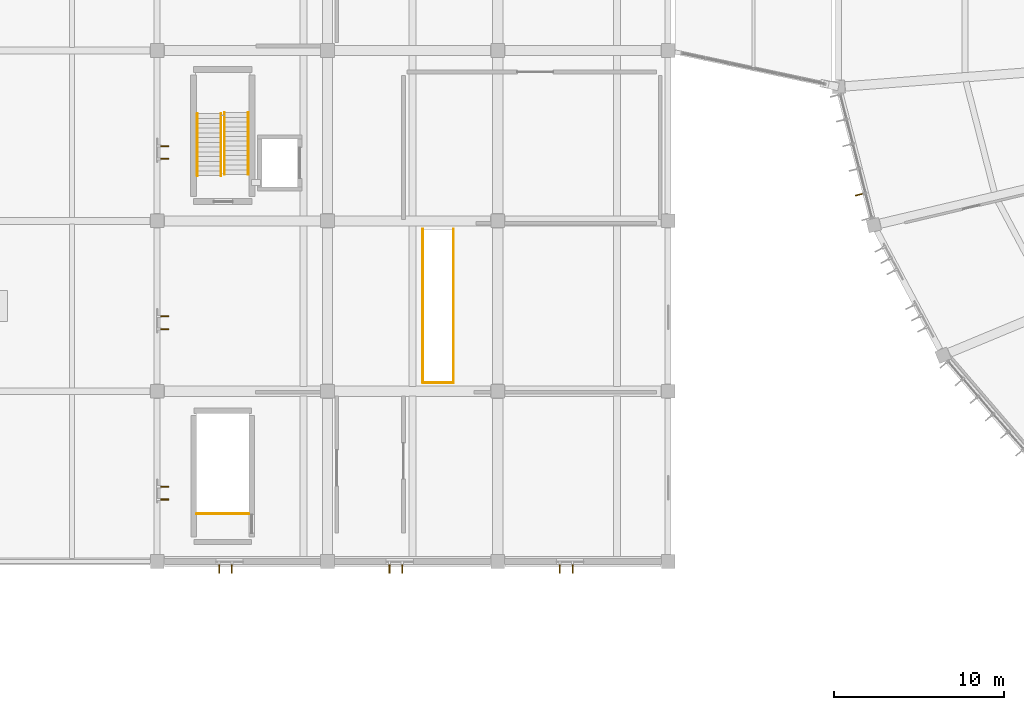
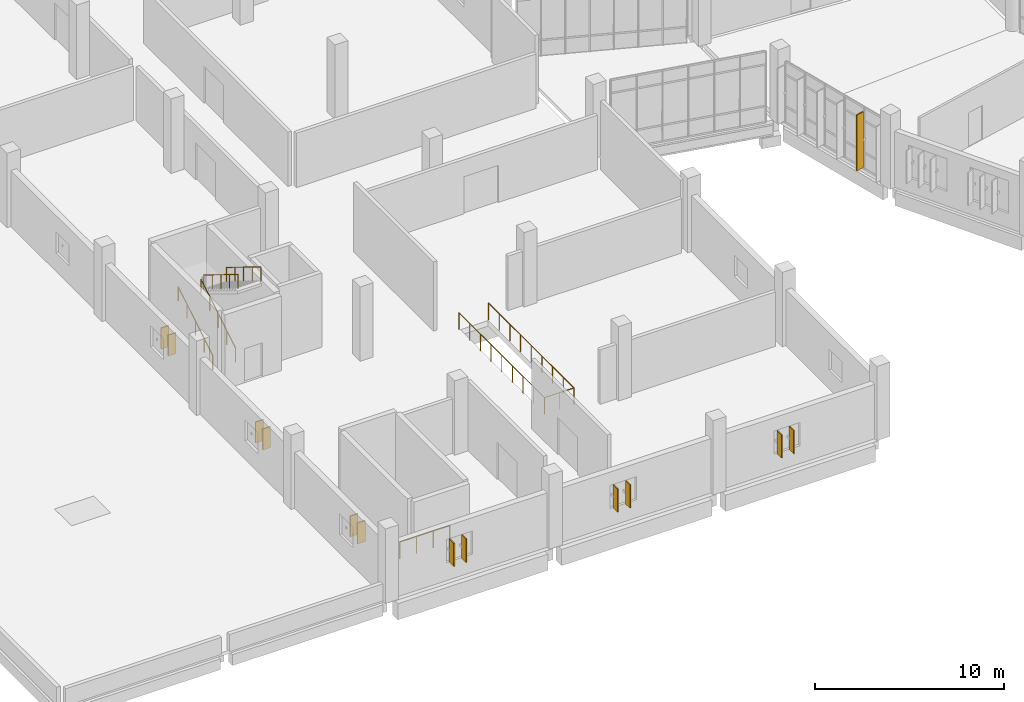
# One storey, part 150 of 179: 13 shading devices, 8 railings.
"""IFC4 building model written with IfcOpenShell, lengths in metres."""

from ifc_helpers import new_model, si_unit, direction, frame, origin, origin_2d, place, context, subcontext, project, spatial, rectangle, circle, extrude, material, layer, layer_set, type_object, element, save


model = new_model("IFC4")

# Units and contexts
model_context = context("Model", 3, precision=1e-05, world=origin(), true_north=direction((0.0, 1.0)))
body_context = subcontext(model_context, "Body", "Model", "MODEL_VIEW")
ifc_project = project(units=[si_unit("LENGTHUNIT", "METRE"), si_unit("AREAUNIT", "SQUARE_METRE"), si_unit("VOLUMEUNIT", "CUBIC_METRE"), si_unit("PLANEANGLEUNIT", "RADIAN"), si_unit("MASSUNIT", "GRAM", prefix="KILO")], contexts=[model_context])

# Site, building, storey
site_placement = place(None, origin())
site = spatial("IfcSite", under=ifc_project, at=site_placement, CompositionType="ELEMENT")
building_placement = place(site_placement, origin())
building = spatial("IfcBuilding", under=site, at=building_placement, Name="Corvandel Quay Wholesale Market", CompositionType="ELEMENT")
storey_placement = place(building_placement, frame((0.0, 0.0, 6.0)))
storey = spatial("IfcBuildingStorey", under=building, at=storey_placement, Name="L01", CompositionType="ELEMENT", Elevation=6.0)

# Railings
ifc_material_1 = material(Name="Painted galvanised tubular steel", Category="steel")
ifc_layer_1 = layer(ifc_material_1, 0.054931640625)
ifc_layer_set_1 = layer_set([ifc_layer_1], Name="Painted galvanised tubular steel")
railing_type_1 = type_object("IfcRailingType", Name="Stairwell Inner Guard Railing GR02 1100mm", PredefinedType="GUARDRAIL", material=ifc_layer_set_1)
railing_1_placement = place(storey_placement, frame((22.320068359375, 12.800048828125, 0.0)))
element("IfcRailing", 1, at=railing_1_placement, inside=storey, type_object=railing_type_1, Name="Stair Top Well Guard SH14-L01", PredefinedType="GUARDRAIL", context=body_context, shape_type="SweptSolid", body=[
    extrude(circle(Radius=0.02392578125, at=origin_2d()), frame((0.0, 0.0, 1.076171875), z_axis=(1.0, 0.0, 0.0), x_axis=(0.0, 1.0, 0.0)), (0.0, 0.0, 1.0), 3.059814453125),
    extrude(circle(Radius=0.02099609375, at=origin_2d()), origin(), (0.0, 0.0, 1.0), 1.052001953125),
    extrude(circle(Radius=0.02099609375, at=origin_2d()), frame((1.02001953125, 0.0, 0.0)), (0.0, 0.0, 1.0), 1.052001953125),
    extrude(circle(Radius=0.02099609375, at=origin_2d()), frame((2.039794921875, 0.0, 0.0)), (0.0, 0.0, 1.0), 1.052001953125),
    extrude(circle(Radius=0.02099609375, at=origin_2d()), frame((3.059814453125, 0.0, 0.0)), (0.0, 0.0, 1.0), 1.052001953125),
])
for number, where, name in (
    (2, (35.60009765625, 20.5, 0.0), "Feature Stair Well Guard 0238"),
    (3, (37.39990234375, 20.5, 0.0), "Feature Stair Well Guard 0239"),
):
    element("IfcRailing", number, at=place(storey_placement, frame(where)), inside=storey, type_object=railing_type_1, Name=name, PredefinedType="GUARDRAIL", context=body_context, shape_type="SweptSolid", body=[
        extrude(circle(Radius=0.02392578125, at=origin_2d()), frame((0.0, 0.0, 1.076171875), z_axis=(0.0, 1.0, 0.0), x_axis=(-1.0, 0.0, 0.0)), (0.0, 0.0, 1.0), 9.030029296875),
        extrude(circle(Radius=0.02099609375, at=origin_2d()), origin(), (0.0, 0.0, 1.0), 1.052001953125),
        extrude(circle(Radius=0.02099609375, at=origin_2d()), frame((0.0, 1.128662109375, 0.0)), (0.0, 0.0, 1.0), 1.052001953125),
        extrude(circle(Radius=0.02099609375, at=origin_2d()), frame((0.0, 2.257568359375, 0.0)), (0.0, 0.0, 1.0), 1.052001953125),
        extrude(circle(Radius=0.02099609375, at=origin_2d()), frame((0.0, 3.38623046875, 0.0)), (0.0, 0.0, 1.0), 1.052001953125),
        extrude(circle(Radius=0.02099609375, at=origin_2d()), frame((0.0, 4.51513671875, 0.0)), (0.0, 0.0, 1.0), 1.052001953125),
        extrude(circle(Radius=0.02099609375, at=origin_2d()), frame((0.0, 5.643798828125, 0.0)), (0.0, 0.0, 1.0), 1.052001953125),
        extrude(circle(Radius=0.02099609375, at=origin_2d()), frame((0.0, 6.7724609375, 0.0)), (0.0, 0.0, 1.0), 1.052001953125),
        extrude(circle(Radius=0.02099609375, at=origin_2d()), frame((0.0, 7.9013671875, 0.0)), (0.0, 0.0, 1.0), 1.052001953125),
        extrude(circle(Radius=0.02099609375, at=origin_2d()), frame((0.0, 9.030029296875, 0.0)), (0.0, 0.0, 1.0), 1.052001953125),
    ])
railing_2_placement = place(storey_placement, frame((35.60009765625, 20.5, 0.0)))
element("IfcRailing", 4, at=railing_2_placement, inside=storey, type_object=railing_type_1, Name="Feature Stair Well Guard 0240", PredefinedType="GUARDRAIL", context=body_context, shape_type="SweptSolid", body=[
    extrude(circle(Radius=0.02392578125, at=origin_2d()), frame((0.0, 0.0, 1.076171875), z_axis=(1.0, 0.0, 0.0), x_axis=(0.0, 1.0, 0.0)), (0.0, 0.0, 1.0), 1.7998046875),
    extrude(circle(Radius=0.02099609375, at=origin_2d()), origin(), (0.0, 0.0, 1.0), 1.052001953125),
    extrude(circle(Radius=0.02099609375, at=origin_2d()), frame((0.89990234375, 0.0, 0.0)), (0.0, 0.0, 1.0), 1.052001953125),
    extrude(circle(Radius=0.02099609375, at=origin_2d()), frame((1.7998046875, 0.0, 0.0)), (0.0, 0.0, 1.0), 1.052001953125),
])
ifc_material_2 = material(Name="Brushed austenitic stainless steel Grade 316", Category="steel")
ifc_layer_2 = layer(ifc_material_2, 0.048095703125)
ifc_layer_set_2 = layer_set([ifc_layer_2], Name="Brushed austenitic stainless steel Grade 316")
railing_type_2 = type_object("IfcRailingType", Name="Tubular Stainless Stair Handrail HR01 915mm", PredefinedType="HANDRAIL", material=ifc_layer_set_2)
for number, where, name in (
    (5, (22.360107421875, 32.64990234375, 0.17138671875), "Stair Handrail 0102"),
    (6, (23.75, 32.64990234375, 0.17138671875), "Stair Handrail 0103"),
):
    element("IfcRailing", number, at=place(storey_placement, frame(where)), inside=storey, type_object=railing_type_2, Name=name, PredefinedType="HANDRAIL", context=body_context, shape_type="SweptSolid", body=[
        extrude(circle(Radius=0.02392578125, at=origin_2d()), frame((0.0, 0.0, 0.89111328125), z_axis=(0.0, 0.852865859571, 0.52213008492), x_axis=(-1.0, 0.0, 0.0)), (0.0, 0.0, 1.0), 4.26806640625),
        extrude(circle(Radius=0.02099609375, at=origin_2d()), origin(), (0.0, 0.0, 1.0), 0.866943359375),
        extrude(circle(Radius=0.02099609375, at=origin_2d()), frame((0.0, 0.91015625, 0.55712890625)), (0.0, 0.0, 1.0), 0.866943359375),
        extrude(circle(Radius=0.02099609375, at=origin_2d()), frame((0.0, 1.820068359375, 1.1142578125)), (0.0, 0.0, 1.0), 0.866943359375),
        extrude(circle(Radius=0.02099609375, at=origin_2d()), frame((0.0, 2.72998046875, 1.67138671875)), (0.0, 0.0, 1.0), 0.866943359375),
        extrude(circle(Radius=0.02099609375, at=origin_2d()), frame((0.0, 3.64013671875, 2.228515625)), (0.0, 0.0, 1.0), 0.866943359375),
    ])
for number, where, name in (
    (7, (23.949951171875, 36.360107421875, 2.5712890625), "Stair Handrail 0104"),
    (8, (25.340087890625, 36.360107421875, 2.5712890625), "Stair Handrail 0105"),
):
    element("IfcRailing", number, at=place(storey_placement, frame(where)), inside=storey, type_object=railing_type_2, Name=name, PredefinedType="HANDRAIL", context=body_context, shape_type="SweptSolid", body=[
        extrude(circle(Radius=0.02392578125, at=origin_2d()), frame((0.0, 0.0, 0.89111328125), z_axis=(0.0, -0.852840387347, 0.522171689878), x_axis=(1.0, 0.0, 0.0)), (0.0, 0.0, 1.0), 4.268310546875),
        extrude(circle(Radius=0.02099609375, at=origin_2d()), origin(), (0.0, 0.0, 1.0), 0.866943359375),
        extrude(circle(Radius=0.02099609375, at=origin_2d()), frame((0.0, -0.91015625, 0.55712890625)), (0.0, 0.0, 1.0), 0.866943359375),
        extrude(circle(Radius=0.02099609375, at=origin_2d()), frame((0.0, -1.820068359375, 1.1142578125)), (0.0, 0.0, 1.0), 0.866943359375),
        extrude(circle(Radius=0.02099609375, at=origin_2d()), frame((0.0, -2.72998046875, 1.671630859375)), (0.0, 0.0, 1.0), 0.866943359375),
        extrude(circle(Radius=0.02099609375, at=origin_2d()), frame((0.0, -3.64013671875, 2.228759765625)), (0.0, 0.0, 1.0), 0.866943359375),
    ])

# Shading devices
ifc_material_3 = material(Name="Bronze anodised extruded aluminium 6063-T6", Category="aluminium")
shading_device_type = type_object("IfcShadingDeviceType", Name="Vertical Anodised Bronze Solar Fin FN01 480mm", PredefinedType="JALOUSIE", material=ifc_material_3)
shading_device_placement = place(storey_placement, frame((61.224853515625, 31.539306640625, 0.175048828125), z_axis=(0.0, 0.0, 1.0), x_axis=(0.968843057437, 0.247675453076, 0.0)))
element("IfcShadingDevice", 9, at=shading_device_placement, inside=storey, type_object=shading_device_type, Name="Solar Fin 0044", PredefinedType="JALOUSIE", context=body_context, shape_type="SweptSolid", body=[
    extrude(rectangle(XDim=0.47998046875, YDim=0.06494140625, at=origin_2d()), origin(), (0.0, 0.0, 1.0), 3.60009765625),
])
for number, where, z_axis, x_axis, name in (
    (10, (20.43994140625, 13.639892578125, 1.199951171875), (0.0, 0.0, 1.0), (1.0, 0.0, 0.0), "Solar Fin 0521"),
    (11, (20.43994140625, 14.389892578125, 1.199951171875), (0.0, 0.0, 1.0), (1.0, 0.0, 0.0), "Solar Fin 0522"),
    (12, (20.43994140625, 23.639892578125, 1.199951171875), (0.0, 0.0, 1.0), (1.0, 0.0, 0.0), "Solar Fin 0526"),
    (13, (20.43994140625, 24.389892578125, 1.199951171875), (0.0, 0.0, 1.0), (1.0, 0.0, 0.0), "Solar Fin 0527"),
    (14, (20.43994140625, 33.639892578125, 1.199951171875), (0.0, 0.0, 1.0), (1.0, 0.0, 0.0), "Solar Fin 0531"),
    (15, (20.43994140625, 34.389892578125, 1.199951171875), (0.0, 0.0, 1.0), (1.0, 0.0, 0.0), "Solar Fin 0532"),
):
    element("IfcShadingDevice", number, at=place(storey_placement, frame(where, z_axis=z_axis, x_axis=x_axis)), inside=storey, type_object=shading_device_type, Name=name, PredefinedType="JALOUSIE", context=body_context, shape_type="SweptSolid", body=[
        extrude(rectangle(XDim=0.47998046875, YDim=0.06494140625, at=origin_2d()), origin(), (0.0, 0.0, 1.0), 1.35009765625),
    ])
for number, where, z_axis, x_axis, name in (
    (16, (23.639892578125, 9.56005859375, 1.14990234375), (0.0, 0.0, 1.0), (0.0, 1.0, 0.0), "Solar Fin 0580"),
    (17, (24.389892578125, 9.56005859375, 1.14990234375), (0.0, 0.0, 1.0), (0.0, 1.0, 0.0), "Solar Fin 0581"),
    (18, (33.639892578125, 9.56005859375, 1.14990234375), (0.0, 0.0, 1.0), (0.0, 1.0, 0.0), "Solar Fin 0585"),
    (19, (34.389892578125, 9.56005859375, 1.14990234375), (0.0, 0.0, 1.0), (0.0, 1.0, 0.0), "Solar Fin 0586"),
    (20, (43.639892578125, 9.56005859375, 1.14990234375), (0.0, 0.0, 1.0), (0.0, 1.0, 0.0), "Solar Fin 0590"),
    (21, (44.389892578125, 9.56005859375, 1.14990234375), (0.0, 0.0, 1.0), (0.0, 1.0, 0.0), "Solar Fin 0591"),
):
    element("IfcShadingDevice", number, at=place(storey_placement, frame(where, z_axis=z_axis, x_axis=x_axis)), inside=storey, type_object=shading_device_type, Name=name, PredefinedType="JALOUSIE", context=body_context, shape_type="SweptSolid", body=[
        extrude(rectangle(XDim=0.47998046875, YDim=0.06494140625, at=origin_2d()), origin(), (0.0, 0.0, 1.0), 1.5),
    ])

save(model, "model.ifc")
